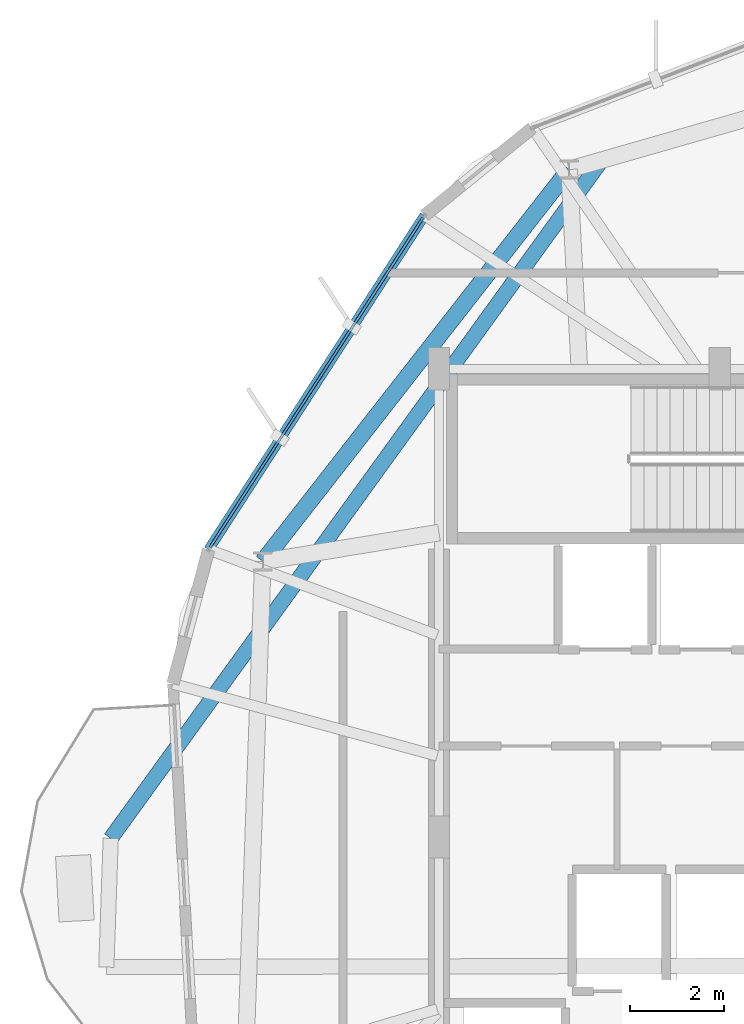
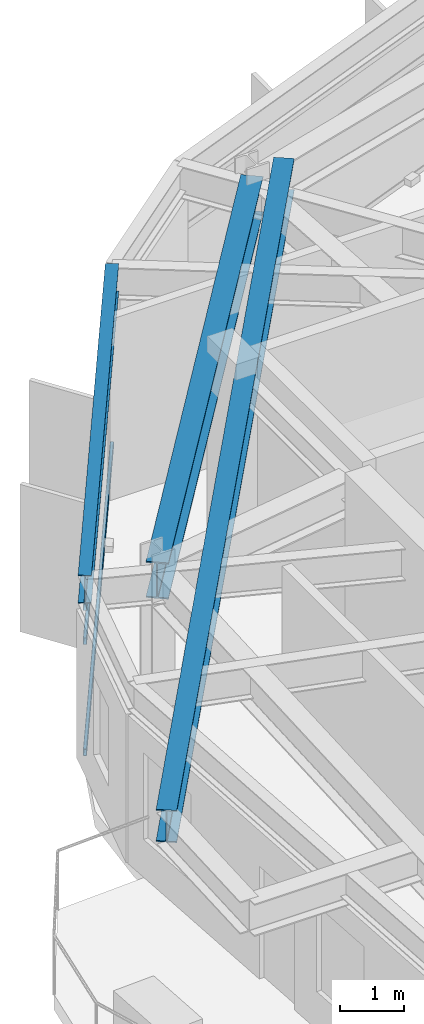
# One storey, part 9 of 26: 3 beams, 3 members, 1 element without a shape of its own.
"""IFC4 building model written with IfcOpenShell, lengths in metres."""

from ifc_helpers import new_model, si_unit, direction, frame, origin, origin_2d, place, context, subcontext, project, spatial, hollow_rectangle, i_section, extrude, material, layer, layer_set, material_profile, profile_set, type_object, element, aggregate, save


model = new_model("IFC4")

# Units and contexts
model_context = context("Model", 3, precision=1e-05, world=origin(), true_north=direction((0.0, 1.0)))
body_context = subcontext(model_context, "Body", "Model", "MODEL_VIEW")
ifc_project = project(units=[si_unit("LENGTHUNIT", "METRE"), si_unit("AREAUNIT", "SQUARE_METRE"), si_unit("VOLUMEUNIT", "CUBIC_METRE"), si_unit("PLANEANGLEUNIT", "RADIAN"), si_unit("MASSUNIT", "GRAM", prefix="KILO")], contexts=[model_context])

# Site, building, storey
site_placement = place(None, origin())
site = spatial("IfcSite", under=ifc_project, at=site_placement, CompositionType="ELEMENT")
building_placement = place(site_placement, origin())
building = spatial("IfcBuilding", under=site, at=building_placement, Name="Soratama Intermodal Tower", CompositionType="ELEMENT")
storey_placement = place(building_placement, frame((0.0, 0.0, 242.5)))
storey = spatial("IfcBuildingStorey", under=building, at=storey_placement, Name="L61", CompositionType="ELEMENT", Elevation=242.5)

# Beams
ifc_material_1 = material(Name="Structural steel ASTM A992 Grade 50", Category="steel")
ifc_material_profile_1 = material_profile(ifc_material_1, i_section(OverallWidth=0.324951171875, OverallDepth=0.615966796875, WebThickness=0.013916015625, FlangeThickness=0.021484375, FilletRadius=0.013916015625, at=origin_2d()), Name="W24X117")
ifc_profile_set_1 = profile_set([ifc_material_profile_1], Name="Structural steel ASTM A992 Grade 50")
beam_type_1 = type_object("IfcBeamType", Name="BM-CANT-W24X117", PredefinedType="BEAM", material=ifc_profile_set_1)
beam_1_placement = place(storey_placement, frame((36.054931640625, 39.427001953125, 3.14208984375), z_axis=(-0.586373996079, -0.810040453757, 0.0), x_axis=(0.810040453757, -0.586373996079, 0.0)))
element("IfcBeam", 1, at=beam_1_placement, inside=storey, type_object=beam_type_1, Name="BM-L61-CANT-3-1", PredefinedType="BEAM", context=body_context, shape_type="SweptSolid", body=[
    extrude(i_section(OverallWidth=0.324951171875, OverallDepth=0.615966796875, WebThickness=0.013916015625, FlangeThickness=0.021484375, FilletRadius=0.013916015625, at=origin_2d()), origin(), (0.0, 0.0, 1.0), 17.85205078125),
])
ifc_material_2 = material(Name="Structural steel ASTM A992 Grade 50", Category="steel")
ifc_material_profile_2 = material_profile(ifc_material_2, i_section(OverallWidth=0.35498046875, OverallDepth=0.695068359375, WebThickness=0.015380859375, FlangeThickness=0.02490234375, FilletRadius=0.01611328125, at=origin_2d()), Name="W27X146")
ifc_profile_set_2 = profile_set([ifc_material_profile_2], Name="Structural steel ASTM A992 Grade 50")
beam_type_2 = type_object("IfcBeamType", Name="BM-RING-W27X146", PredefinedType="BEAM", material=ifc_profile_set_2)
beam_2_placement = place(storey_placement, frame((35.382080078125, 39.259033203125, 3.1025390625), z_axis=(-0.6157278291, -0.787958907858, 0.0), x_axis=(0.787958907858, -0.6157278291, 0.0)))
element("IfcBeam", 2, at=beam_2_placement, inside=storey, type_object=beam_type_2, Name="BM-L61-RING-04", PredefinedType="BEAM", context=body_context, shape_type="SweptSolid", body=[
    extrude(i_section(OverallWidth=0.35498046875, OverallDepth=0.695068359375, WebThickness=0.015380859375, FlangeThickness=0.02490234375, FilletRadius=0.01611328125, at=origin_2d()), origin(), (0.0, 0.0, 1.0), 10.6298828125),
])
ifc_material_3 = material(Name="Structural steel ASTM A992 Grade 50", Category="steel")
ifc_material_profile_3 = material_profile(ifc_material_3, i_section(OverallWidth=0.2099609375, OverallDepth=0.537109375, WebThickness=0.010986328125, FlangeThickness=0.017333984375, FilletRadius=0.012939453125, at=origin_2d()), Name="W21X68")
ifc_profile_set_3 = profile_set([ifc_material_profile_3], Name="Structural steel ASTM A992 Grade 50")
beam_type_3 = type_object("IfcBeamType", Name="BM-SPN-W21X68", PredefinedType="SPANDREL", material=ifc_profile_set_3)
beam_3_placement = place(storey_placement, frame((32.291015625, 38.27587890625, 3.181396484375), z_axis=(-0.542812951788, -0.839853617823, 0.0), x_axis=(0.839853617823, -0.542812951788, 0.0)))
element("IfcBeam", 3, at=beam_3_placement, inside=storey, type_object=beam_type_3, Name="BS-L61-F03", PredefinedType="SPANDREL", context=body_context, shape_type="SweptSolid", body=[
    extrude(i_section(OverallWidth=0.2099609375, OverallDepth=0.537109375, WebThickness=0.010986328125, FlangeThickness=0.017333984375, FilletRadius=0.012939453125, at=origin_2d()), origin(), (0.0, 0.0, 1.0), 8.500244140625),
])

# Curtain wall, members
ifc_material_4 = material(Name="Double-glazed aluminium curtain wall", Category="aluminium")
ifc_layer = layer(ifc_material_4, 0.159912109375)
ifc_layer_set = layer_set([ifc_layer], Name="Double-glazed aluminium curtain wall")
curtain_wall_type = type_object("IfcCurtainWallType", Name="CW-SYS-5", PredefinedType="NOTDEFINED", material=ifc_layer_set)
curtain_wall_placement = place(storey_placement, origin())
curtain_wall = element("IfcCurtainWall", 4, at=curtain_wall_placement, inside=storey, type_object=curtain_wall_type, Name="L61 Faceted Curtain Wall F03", PredefinedType="NOTDEFINED")
ifc_material_5 = material(Name="Anodised aluminium AA 6063-T6", Category="aluminium")
ifc_material_profile_4 = material_profile(ifc_material_5, hollow_rectangle(XDim=0.06005859375, YDim=0.1298828125, WallThickness=0.0048828125, InnerFilletRadius=0.0048828125, OuterFilletRadius=0.010009765625, at=origin_2d()), Name="CWT130X60X5")
ifc_profile_set_4 = profile_set([ifc_material_profile_4], Name="Anodised aluminium AA 6063-T6")
member_type = type_object("IfcMemberType", Name="TT-CWT-2", PredefinedType="USERDEFINED", material=ifc_profile_set_4)
member_1_placement = place(storey_placement, frame((32.259033203125, 38.225341796875, 0.030029296875), z_axis=(-0.542892447729, -0.83980223279, 0.0), x_axis=(0.83980223279, -0.542892447729, 0.0)))
member_1 = element("IfcMember", 5, at=member_1_placement, type_object=member_type, Name="CW-5 transom 1.1", ObjectType="TRANSOM", PredefinedType="USERDEFINED", context=body_context, shape_type="SweptSolid", body=[
    extrude(hollow_rectangle(XDim=0.06005859375, YDim=0.1298828125, WallThickness=0.0048828125, InnerFilletRadius=0.0048828125, OuterFilletRadius=0.010009765625, at=origin_2d()), origin(), (0.0, 0.0, 1.0), 8.3798828125),
])
member_2_placement = place(storey_placement, frame((32.259033203125, 38.225341796875, 2.14990234375), z_axis=(-0.542892447729, -0.83980223279, 0.0), x_axis=(0.83980223279, -0.542892447729, 0.0)))
member_2 = element("IfcMember", 6, at=member_2_placement, type_object=member_type, Name="CW-5 transom 1.2", ObjectType="TRANSOM", PredefinedType="USERDEFINED", context=body_context, shape_type="SweptSolid", body=[
    extrude(hollow_rectangle(XDim=0.06005859375, YDim=0.1298828125, WallThickness=0.0048828125, InnerFilletRadius=0.0048828125, OuterFilletRadius=0.010009765625, at=origin_2d()), origin(), (0.0, 0.0, 1.0), 8.3798828125),
])
member_3_placement = place(storey_placement, frame((32.259033203125, 38.225341796875, 2.799072265625), z_axis=(-0.542892447729, -0.83980223279, 0.0), x_axis=(0.83980223279, -0.542892447729, 0.0)))
member_3 = element("IfcMember", 7, at=member_3_placement, type_object=member_type, Name="CW-5 transom 1.3", ObjectType="TRANSOM", PredefinedType="USERDEFINED", context=body_context, shape_type="SweptSolid", body=[
    extrude(hollow_rectangle(XDim=0.06005859375, YDim=0.1298828125, WallThickness=0.0048828125, InnerFilletRadius=0.0048828125, OuterFilletRadius=0.010009765625, at=origin_2d()), origin(), (0.0, 0.0, 1.0), 8.3798828125),
])
aggregate(curtain_wall, [member_1, member_2, member_3])

save(model, "model.ifc")
